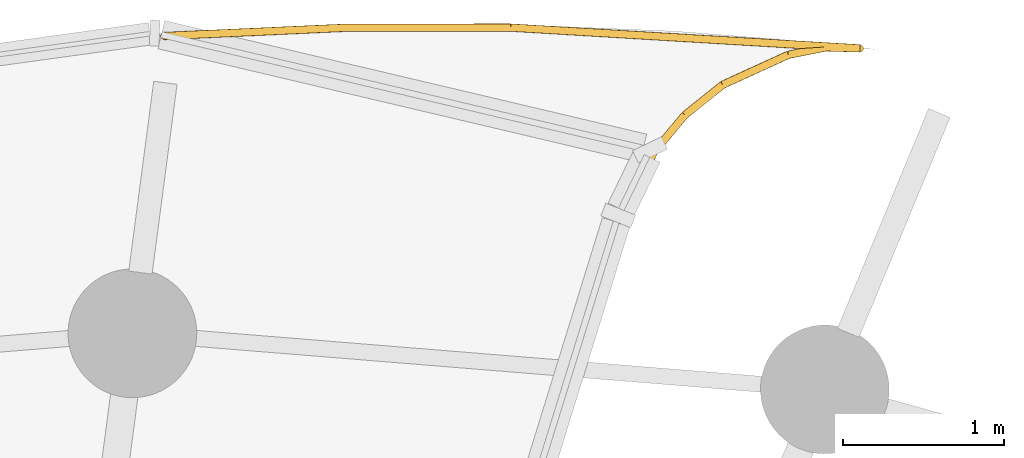
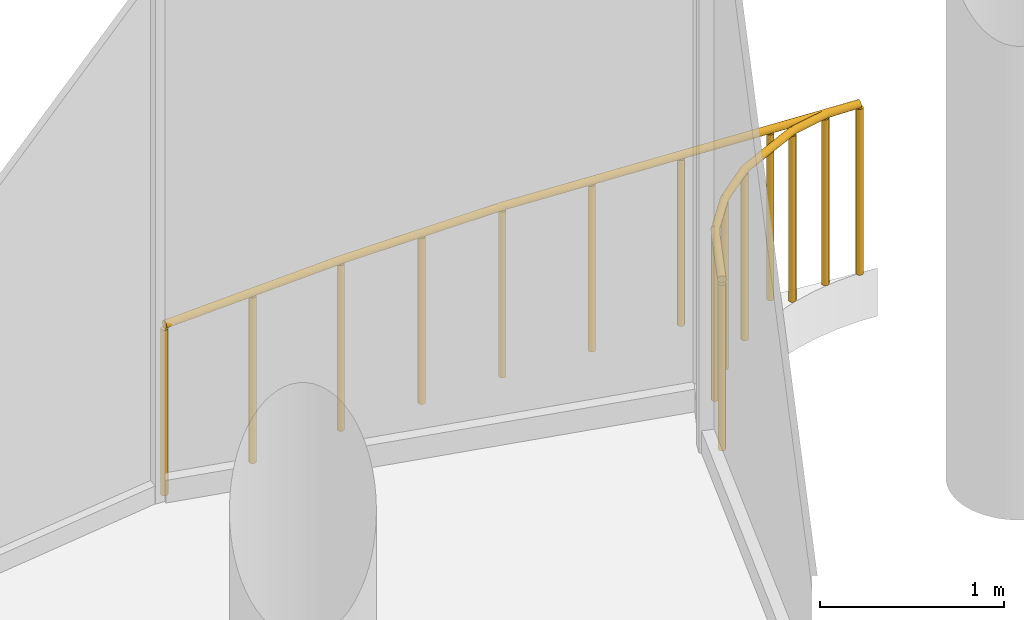
# One storey, part 14 of 14: 1 railing.
"""IFC4 building model written with IfcOpenShell, lengths in metres."""

import ifcopenshell
import ifcopenshell.guid

model = None  # the IFC model being written
_history = None  # IfcOwnerHistory: only IFC2X3 demands one
_inside = {}  # id of a spatial element -> (the spatial element, [elements in it])
_under = {}  # id of a project, library or spatial element -> (it, [spatial elements below it])
_declared = {}  # id of a project -> (the project, [libraries it declares])
_typed = {}  # id of a type object -> (the type object, [elements of that type])
_made_of = {}  # id of a material, layer set ... -> (it, [elements and type objects made of it])


def new_model(schema):
    """Start an empty IFC model of exactly this schema.

    Asked for "IFC4X3", IfcOpenShell would pick the latest addendum, in which some entities
    have other attributes; the version numbers below select the first issue.
    IFC2X3 requires an IfcOwnerHistory on every rooted entity: one is made here for all.
    """
    global model, _history
    if schema == "IFC4X3":
        model = ifcopenshell.file(schema_version=(4, 3, 0, 0))
    else:
        model = ifcopenshell.file(schema=schema)
    _inside.clear()
    _under.clear()
    _declared.clear()
    _typed.clear()
    _made_of.clear()
    _history = None
    if model.schema == "IFC2X3":
        org = make("IfcOrganization", Name="unknown")
        user = make(
            "IfcPersonAndOrganization",
            ThePerson=make("IfcPerson", FamilyName="unknown"),
            TheOrganization=org,
        )
        app = make(
            "IfcApplication",
            ApplicationDeveloper=org,
            Version="unknown",
            ApplicationFullName="unknown",
            ApplicationIdentifier="unknown",
        )
        _history = make(
            "IfcOwnerHistory",
            OwningUser=user,
            OwningApplication=app,
            ChangeAction="ADDED",
            CreationDate=0,
        )
    return model


def make(cls, **values):
    """One entity of the class cls with the attributes given. An attribute that is None is left unset."""
    return model.create_entity(
        cls, **{name: value for name, value in values.items() if value is not None}
    )


def rooted(cls, **values):
    """An entity with a GlobalId (a new one), such as an element, a storey or a relation."""
    return make(cls, GlobalId=ifcopenshell.guid.new(), OwnerHistory=_history, **values)


def si_unit(unit_type, name, prefix=None):
    """IfcSIUnit, for example si_unit("LENGTHUNIT", "METRE", prefix="MILLI")."""
    return make("IfcSIUnit", UnitType=unit_type, Prefix=prefix, Name=name)


def assignment(units):
    """IfcUnitAssignment: the units of a project."""
    return None if units is None else make("IfcUnitAssignment", Units=units)


def point(xyz):
    """IfcCartesianPoint."""
    return None if xyz is None else make("IfcCartesianPoint", Coordinates=xyz)


def direction(xyz):
    """IfcDirection."""
    return None if xyz is None else make("IfcDirection", DirectionRatios=xyz)


def frame(location, z_axis=None, x_axis=None):
    """IfcAxis2Placement3D, a coordinate frame: its origin and axes. An axis left out is left unset."""
    return make(
        "IfcAxis2Placement3D",
        Location=point(location),
        Axis=direction(z_axis),
        RefDirection=direction(x_axis),
    )


def frame_2d(location, x_axis=None):
    """IfcAxis2Placement2D, a coordinate frame in the plane: its origin and x axis."""
    return make(
        "IfcAxis2Placement2D", Location=point(location), RefDirection=direction(x_axis)
    )


def origin():
    """The frame at (0, 0, 0) with its axes left unset."""
    return frame((0.0, 0.0, 0.0))


def origin_2d():
    """The frame at (0, 0) in the plane with its x axis left unset."""
    return frame_2d((0.0, 0.0))


def place(relative_to, where):
    """IfcLocalPlacement: puts the frame where relative to a parent placement (None: the world)."""
    return make(
        "IfcLocalPlacement", PlacementRelTo=relative_to, RelativePlacement=where
    )


def context(
    kind, dimensions, precision=None, world=None, true_north=None, identifier=None
):
    """IfcGeometricRepresentationContext, for example the 3D "Model" context."""
    return make(
        "IfcGeometricRepresentationContext",
        ContextIdentifier=identifier,
        ContextType=kind,
        CoordinateSpaceDimension=dimensions,
        Precision=precision,
        WorldCoordinateSystem=world,
        TrueNorth=true_north,
    )


def subcontext(parent, identifier, kind, view, scale=None):
    """IfcGeometricRepresentationSubContext, for example "Body" below "Model"."""
    return make(
        "IfcGeometricRepresentationSubContext",
        ContextIdentifier=identifier,
        ContextType=kind,
        ParentContext=parent,
        TargetScale=scale,
        TargetView=view,
    )


def project(units=None, contexts=None):
    """IfcProject with its units and contexts."""
    return rooted(
        "IfcProject",
        Name="project",
        RepresentationContexts=contexts,
        UnitsInContext=assignment(units),
    )


def spatial(cls, under=None, at=None, **own):
    """A site, building, storey or space (cls), placed at a placement, below another one or the project."""
    s = rooted(cls, ObjectPlacement=at, **own)
    if under is not None:
        _under.setdefault(under.id(), (under, []))[1].append(s)
    return s


def profile(cls, at=None, kind="AREA", **sizes):
    """A parametric profile (cls). Its sizes go by their IFC names, for example OverallWidth=200.0."""
    return make(cls, ProfileType=kind, Position=at, **sizes)


def circle(**sizes):
    """IfcCircleProfileDef."""
    return profile("IfcCircleProfileDef", **sizes)


def extrude(swept, where, along, depth):
    """IfcExtrudedAreaSolid: the profile swept, set in the frame where, extruded along a direction by depth."""
    return make(
        "IfcExtrudedAreaSolid",
        SweptArea=swept,
        Position=where,
        ExtrudedDirection=direction(along),
        Depth=depth,
    )


def shape(context_of_items, identifier, shape_type, items):
    """IfcShapeRepresentation: the items that make up one representation, for example the "Body"."""
    return make(
        "IfcShapeRepresentation",
        ContextOfItems=context_of_items,
        RepresentationIdentifier=identifier,
        RepresentationType=shape_type,
        Items=items,
    )


def material(Name=None, Category=None):
    """IfcMaterial."""
    return make("IfcMaterial", Name=Name, Category=Category)


def made_of(thing, what):
    """Note that an element or type object is made of a material, layer set ...; save() writes the relation."""
    if what is not None:
        _made_of.setdefault(what.id(), (what, []))[1].append(thing)
    return thing


def type_object(cls, material=None, **own):
    """A type object (cls), such as IfcWallType, which elements share."""
    return made_of(rooted(cls, **own), material)


def element(
    cls,
    number,
    at=None,
    inside=None,
    cuts=None,
    type_object=None,
    material=None,
    context=None,
    identifier="Body",
    shape_type=None,
    held_by="IfcProductDefinitionShape",
    body=None,
    shapes=None,
    **own,
):
    """One element of the class cls, such as IfcWall. Its Tag is "e" and its number.

    at: its placement. inside: the storey or other place that contains it. cuts: it is an
    opening in that element (IfcRelVoidsElement). A single representation is given by context,
    identifier, shape_type and body (its items); several are given by shapes. held_by: the class
    of the entity that holds the representations. save() writes the other relations.
    """
    e = rooted(cls, Tag="e%d" % number, ObjectPlacement=at, **own)
    if body is not None:
        shapes = [shape(context, identifier, shape_type, body)]
    if shapes is not None:
        e.Representation = make(held_by, Representations=shapes)
    if inside is not None:
        _inside.setdefault(inside.id(), (inside, []))[1].append(e)
    if cuts is not None:
        rooted(
            "IfcRelVoidsElement", RelatingBuildingElement=cuts, RelatedOpeningElement=e
        )
    if type_object is not None:
        _typed.setdefault(type_object.id(), (type_object, []))[1].append(e)
    return made_of(e, material)


def aggregate(whole, parts):
    """IfcRelAggregates: a whole, such as a stair, and the parts it consists of."""
    return rooted("IfcRelAggregates", RelatingObject=whole, RelatedObjects=parts)


def save(model, path):
    """Write the relations noted so far, then the file.

    IfcRelAggregates (storeys below a building ...), IfcRelContainedInSpatialStructure (elements
    in a storey), IfcRelDefinesByType, IfcRelAssociatesMaterial and IfcRelDeclares: one each for
    every whole, place, type object, material and project.
    """
    for whole, parts in _under.values():
        aggregate(whole, parts)
    for where, things in _inside.values():
        rooted(
            "IfcRelContainedInSpatialStructure",
            RelatedElements=things,
            RelatingStructure=where,
        )
    for kind, things in _typed.values():
        rooted("IfcRelDefinesByType", RelatedObjects=things, RelatingType=kind)
    for what, things in _made_of.values():
        rooted("IfcRelAssociatesMaterial", RelatedObjects=things, RelatingMaterial=what)
    for by, libraries in _declared.values():
        rooted("IfcRelDeclares", RelatingContext=by, RelatedDefinitions=libraries)
    model.write(path)


model = new_model("IFC4")

# Units and contexts
model_context = context("Model", 3, precision=1e-05, world=origin(), true_north=direction((0.0, 1.0)))
body_context = subcontext(model_context, "Body", "Model", "MODEL_VIEW")
ifc_project = project(units=[si_unit("LENGTHUNIT", "METRE"), si_unit("AREAUNIT", "SQUARE_METRE"), si_unit("VOLUMEUNIT", "CUBIC_METRE"), si_unit("PLANEANGLEUNIT", "RADIAN"), si_unit("MASSUNIT", "GRAM", prefix="KILO")], contexts=[model_context])

# Site, building, storey
site_placement = place(None, origin())
site = spatial("IfcSite", under=ifc_project, at=site_placement, CompositionType="ELEMENT")
building_placement = place(site_placement, origin())
building = spatial("IfcBuilding", under=site, at=building_placement, Name="Spindrift Exchange Tower", CompositionType="ELEMENT")
storey_placement = place(building_placement, frame((0.0, 0.0, 238.39990234375)))
storey = spatial("IfcBuildingStorey", under=building, at=storey_placement, Name="L58", CompositionType="ELEMENT", Elevation=238.39990234375)

# Railing
ifc_material = material(Name="Bronze anodised aluminium balustrade", Category="aluminium")
railing_type = type_object("IfcRailingType", Name="TERRACE GUARDRAIL 1150", PredefinedType="GUARDRAIL", material=ifc_material)
railing_placement = place(storey_placement, frame((54.266845703125, 65.577392578125, 0.0)))
element("IfcRailing", 1, at=railing_placement, inside=storey, type_object=railing_type, Name="L58 Sky Garden Edge Guardrail 1", PredefinedType="GUARDRAIL", context=body_context, shape_type="SweptSolid", body=[
    extrude(circle(Radius=0.02392578125, at=origin_2d()), frame((0.0, 0.0, 1.1259765625), z_axis=(0.9989570163, 0.045660481646, 0.0), x_axis=(-0.045660481646, 0.9989570163, 0.0)), (0.0, 0.0, 1.0), 1.138916015625),
    extrude(circle(Radius=0.02392578125, at=origin_2d()), frame((1.1376953125, 0.052001953125, 1.1259765625), z_axis=(0.999999884486, 0.000480653633, 0.0), x_axis=(-0.000480653633, 0.999999884486, 0.0)), (0.0, 0.0, 1.0), 1.015869140625),
    extrude(circle(Radius=0.02392578125, at=origin_2d()), frame((2.153564453125, 0.052490234375, 1.1259765625), z_axis=(0.998226801644, -0.059525225571, 0.0), x_axis=(0.059525225571, 0.998226801644, 0.0)), (0.0, 0.0, 1.0), 1.0869140625),
    extrude(circle(Radius=0.02392578125, at=origin_2d()), frame((3.238525390625, -0.01220703125, 1.1259765625), z_axis=(0.998226801644, -0.059525225571, 0.0), x_axis=(0.059525225571, 0.998226801644, 0.0)), (0.0, 0.0, 1.0), 1.0869140625),
    extrude(circle(Radius=0.02392578125, at=origin_2d()), frame((4.323486328125, -0.076904296875, 1.1259765625), z_axis=(-0.999512076087, 0.031234752378, 0.0), x_axis=(-0.031234752378, -0.999512076087, 0.0)), (0.0, 0.0, 1.0), 0.2109375),
    extrude(circle(Radius=0.02392578125, at=origin_2d()), frame((4.112548828125, -0.0703125, 1.1259765625), z_axis=(-0.981089384155, -0.193555212532, 0.0), x_axis=(0.193555212532, -0.981089384155, 0.0)), (0.0, 0.0, 1.0), 0.23828125),
    extrude(circle(Radius=0.02392578125, at=origin_2d()), frame((3.878662109375, -0.116455078125, 1.1259765625), z_axis=(-0.909638877956, -0.415399941876, 0.0), x_axis=(0.415399941876, -0.909638877956, 0.0)), (0.0, 0.0, 1.0), 0.448974609375),
    extrude(circle(Radius=0.02392578125, at=origin_2d()), frame((3.47021484375, -0.302978515625, 1.1259765625), z_axis=(-0.780472070753, -0.625190648343, 0.0), x_axis=(0.625190648343, -0.780472070753, 0.0)), (0.0, 0.0, 1.0), 0.30029296875),
    extrude(circle(Radius=0.02392578125, at=origin_2d()), frame((3.23583984375, -0.49072265625, 1.1259765625), z_axis=(-0.642103545399, -0.766617921123, 0.0), x_axis=(0.766617921123, -0.642103545399, 0.0)), (0.0, 0.0, 1.0), 0.300048828125),
    extrude(circle(Radius=0.02392578125, at=origin_2d()), frame((3.043212890625, -0.720703125, 1.1259765625), z_axis=(-0.428930315672, -0.903337580475, 0.0), x_axis=(0.903337580475, -0.428930315672, 0.0)), (0.0, 0.0, 1.0), 0.472412109375),
    extrude(circle(Radius=0.02099609375, at=origin_2d()), origin(), (0.0, 0.0, 1.0), 1.101806640625),
    extrude(circle(Radius=0.02099609375, at=origin_2d()), frame((0.56884765625, 0.02587890625, 0.0)), (0.0, 0.0, 1.0), 1.101806640625),
    extrude(circle(Radius=0.02099609375, at=origin_2d()), frame((1.1376953125, 0.052001953125, 0.0)), (0.0, 0.0, 1.0), 1.101806640625),
    extrude(circle(Radius=0.02099609375, at=origin_2d()), frame((1.6455078125, 0.05224609375, 0.0)), (0.0, 0.0, 1.0), 1.101806640625),
    extrude(circle(Radius=0.02099609375, at=origin_2d()), frame((2.153564453125, 0.052490234375, 0.0)), (0.0, 0.0, 1.0), 1.101806640625),
    extrude(circle(Radius=0.02099609375, at=origin_2d()), frame((2.696044921875, 0.02001953125, 0.0)), (0.0, 0.0, 1.0), 1.101806640625),
    extrude(circle(Radius=0.02099609375, at=origin_2d()), frame((3.238525390625, -0.01220703125, 0.0)), (0.0, 0.0, 1.0), 1.101806640625),
    extrude(circle(Radius=0.02099609375, at=origin_2d()), frame((3.781005859375, -0.04443359375, 0.0)), (0.0, 0.0, 1.0), 1.101806640625),
    extrude(circle(Radius=0.02099609375, at=origin_2d()), frame((4.323486328125, -0.076904296875, 0.0)), (0.0, 0.0, 1.0), 1.101806640625),
    extrude(circle(Radius=0.02099609375, at=origin_2d()), frame((4.112548828125, -0.0703125, 0.0)), (0.0, 0.0, 1.0), 1.101806640625),
    extrude(circle(Radius=0.02099609375, at=origin_2d()), frame((3.878662109375, -0.116455078125, 0.0)), (0.0, 0.0, 1.0), 1.101806640625),
    extrude(circle(Radius=0.02099609375, at=origin_2d()), frame((3.47021484375, -0.302978515625, 0.0)), (0.0, 0.0, 1.0), 1.101806640625),
    extrude(circle(Radius=0.02099609375, at=origin_2d()), frame((3.23583984375, -0.49072265625, 0.0)), (0.0, 0.0, 1.0), 1.101806640625),
    extrude(circle(Radius=0.02099609375, at=origin_2d()), frame((3.043212890625, -0.720703125, 0.0)), (0.0, 0.0, 1.0), 1.101806640625),
    extrude(circle(Radius=0.02099609375, at=origin_2d()), frame((2.840576171875, -1.1474609375, 0.0)), (0.0, 0.0, 1.0), 1.101806640625),
])

save(model, "model.ifc")
